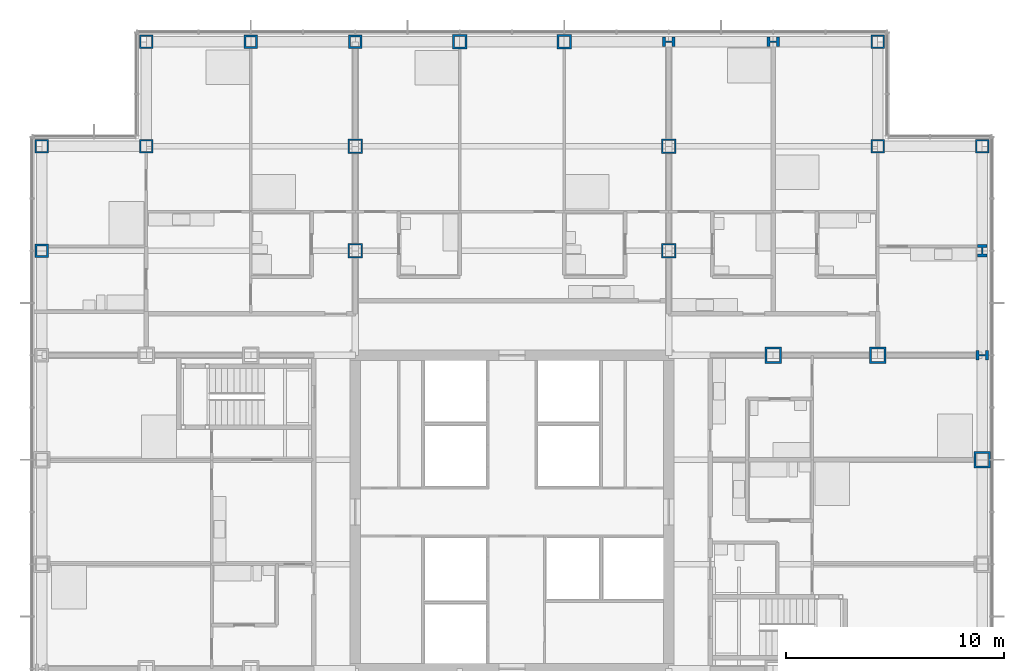
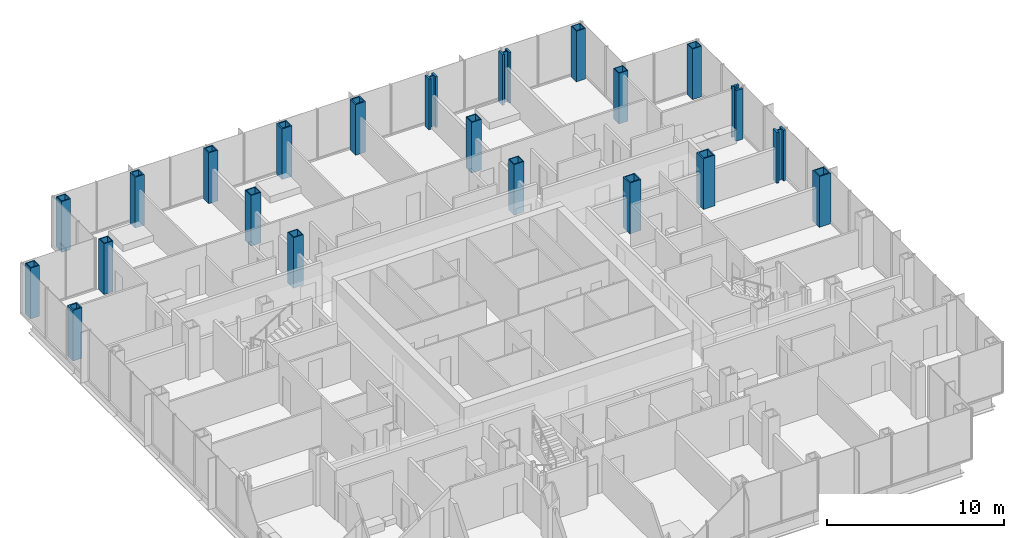
# One storey, part 5 of 21: 22 columns.
"""IFC4 building model written with IfcOpenShell, lengths in metres."""

from ifc_helpers import new_model, si_unit, direction, frame, origin, origin_2d, place, context, subcontext, project, spatial, hollow_rectangle, i_section, extrude, material, material_profile, profile_set, type_object, element, save


model = new_model("IFC4")

# Units and contexts
model_context = context("Model", 3, precision=1e-05, world=origin(), true_north=direction((0.0, 1.0)))
body_context = subcontext(model_context, "Body", "Model", "MODEL_VIEW")
ifc_project = project(units=[si_unit("LENGTHUNIT", "METRE"), si_unit("AREAUNIT", "SQUARE_METRE"), si_unit("VOLUMEUNIT", "CUBIC_METRE"), si_unit("PLANEANGLEUNIT", "RADIAN"), si_unit("MASSUNIT", "GRAM", prefix="KILO")], contexts=[model_context])

# Site, building, storey
site_placement = place(None, origin())
site = spatial("IfcSite", under=ifc_project, at=site_placement, CompositionType="ELEMENT")
building_placement = place(site_placement, origin())
building = spatial("IfcBuilding", under=site, at=building_placement, Name="Kvirike Care Tower", CompositionType="ELEMENT")
storey_placement = place(building_placement, frame((0.0, 0.0, 44.5)))
storey = spatial("IfcBuildingStorey", under=building, at=storey_placement, Name="L11", CompositionType="ELEMENT", Elevation=44.5)

# Columns
ifc_material_1 = material(Name="Steel S460", Category="steel")
ifc_material_profile_1 = material_profile(ifc_material_1, hollow_rectangle(XDim=0.60009765625, YDim=0.60009765625, WallThickness=0.050048828125, at=origin_2d()), Name="BX 600x600x50")
ifc_profile_set_1 = profile_set([ifc_material_profile_1], Name="Steel S460")
column_type_1 = type_object("IfcColumnType", Name="COLUMN BX 600x600x50", PredefinedType="COLUMN", material=ifc_profile_set_1)
for number, where, z_axis, x_axis, name in (
    (1, (38.39990234375, 52.800048828125, 0.0), (0.0, 0.0, 1.0), (0.0, 1.0, 0.0), "Column M11 L11"),
    (2, (38.39990234375, 57.60009765625, 0.0), (0.0, 0.0, 1.0), (0.0, 1.0, 0.0), "Column N11 L11"),
    (3, (43.199951171875, 52.800048828125, 0.0), (0.0, 0.0, 1.0), (0.0, 1.0, 0.0), "Column M12 L11"),
):
    element("IfcColumn", number, at=place(storey_placement, frame(where, z_axis=z_axis, x_axis=x_axis)), inside=storey, type_object=column_type_1, Name=name, PredefinedType="COLUMN", context=body_context, shape_type="SweptSolid", body=[
        extrude(hollow_rectangle(XDim=0.60009765625, YDim=0.60009765625, WallThickness=0.050048828125, at=origin_2d()), origin(), (0.0, 0.0, 1.0), 3.5),
    ])
ifc_material_2 = material(Name="Steel S460", Category="steel")
ifc_material_profile_2 = material_profile(ifc_material_2, hollow_rectangle(XDim=0.60009765625, YDim=0.60009765625, WallThickness=0.06005859375, at=origin_2d()), Name="BX 600x600x60")
ifc_profile_set_2 = profile_set([ifc_material_profile_2], Name="Steel S460")
column_type_2 = type_object("IfcColumnType", Name="COLUMN BX 600x600x60", PredefinedType="COLUMN", material=ifc_profile_set_2)
for number, where, z_axis, x_axis, name in (
    (4, (0.0, 52.800048828125, 0.0), (0.0, 0.0, 1.0), (0.0, 1.0, 0.0), "Column M3 L11"),
    (5, (4.800048828125, 52.800048828125, 0.0), (0.0, 0.0, 1.0), (0.0, 1.0, 0.0), "Column M4 L11"),
    (6, (4.800048828125, 57.60009765625, 0.0), (0.0, 0.0, 1.0), (0.0, 1.0, 0.0), "Column N4 L11"),
):
    element("IfcColumn", number, at=place(storey_placement, frame(where, z_axis=z_axis, x_axis=x_axis)), inside=storey, type_object=column_type_2, Name=name, PredefinedType="COLUMN", context=body_context, shape_type="SweptSolid", body=[
        extrude(hollow_rectangle(XDim=0.60009765625, YDim=0.60009765625, WallThickness=0.06005859375, at=origin_2d()), origin(), (0.0, 0.0, 1.0), 3.5),
    ])
ifc_material_3 = material(Name="Steel S460", Category="steel")
ifc_material_profile_3 = material_profile(ifc_material_3, hollow_rectangle(XDim=0.60009765625, YDim=0.60009765625, WallThickness=0.080078125, at=origin_2d()), Name="BX 600x600x80")
ifc_profile_set_3 = profile_set([ifc_material_profile_3], Name="Steel S460")
column_type_3 = type_object("IfcColumnType", Name="COLUMN BX 600x600x80", PredefinedType="COLUMN", material=ifc_profile_set_3)
for number, where, z_axis, x_axis, name in (
    (7, (0.0, 48.0, 0.0), (0.0, 0.0, 1.0), (1.0, 0.0, 0.0), "Column L3 L11"),
    (8, (9.60009765625, 57.60009765625, 0.0), (0.0, 0.0, 1.0), (0.0, 1.0, 0.0), "Column N5 L11"),
    (9, (14.39990234375, 57.60009765625, 0.0), (0.0, 0.0, 1.0), (0.0, 1.0, 0.0), "Column N6 L11"),
):
    element("IfcColumn", number, at=place(storey_placement, frame(where, z_axis=z_axis, x_axis=x_axis)), inside=storey, type_object=column_type_3, Name=name, PredefinedType="COLUMN", context=body_context, shape_type="SweptSolid", body=[
        extrude(hollow_rectangle(XDim=0.60009765625, YDim=0.60009765625, WallThickness=0.080078125, at=origin_2d()), origin(), (0.0, 0.0, 1.0), 3.5),
    ])
ifc_material_4 = material(Name="Steel S460", Category="steel")
ifc_material_profile_4 = material_profile(ifc_material_4, hollow_rectangle(XDim=0.64990234375, YDim=0.64990234375, WallThickness=0.050048828125, at=origin_2d()), Name="BX 650x650x50")
ifc_profile_set_4 = profile_set([ifc_material_profile_4], Name="Steel S460")
column_type_4 = type_object("IfcColumnType", Name="COLUMN BX 650x650x50", PredefinedType="COLUMN", material=ifc_profile_set_4)
for number, where, z_axis, x_axis, name in (
    (10, (14.39990234375, 48.0, 0.0), (0.0, 0.0, 1.0), (1.0, 0.0, 0.0), "Column L6 L11"),
    (11, (14.39990234375, 52.800048828125, 0.0), (0.0, 0.0, 1.0), (1.0, 0.0, 0.0), "Column M6 L11"),
    (12, (28.800048828125, 48.0, 0.0), (0.0, 0.0, 1.0), (1.0, 0.0, 0.0), "Column L9 L11"),
    (13, (28.800048828125, 52.800048828125, 0.0), (0.0, 0.0, 1.0), (1.0, 0.0, 0.0), "Column M9 L11"),
):
    element("IfcColumn", number, at=place(storey_placement, frame(where, z_axis=z_axis, x_axis=x_axis)), inside=storey, type_object=column_type_4, Name=name, PredefinedType="COLUMN", context=body_context, shape_type="SweptSolid", body=[
        extrude(hollow_rectangle(XDim=0.64990234375, YDim=0.64990234375, WallThickness=0.050048828125, at=origin_2d()), origin(), (0.0, 0.0, 1.0), 3.5),
    ])
ifc_material_5 = material(Name="Steel S460", Category="steel")
ifc_material_profile_5 = material_profile(ifc_material_5, hollow_rectangle(XDim=0.64990234375, YDim=0.64990234375, WallThickness=0.080078125, at=origin_2d()), Name="BX 650x650x80")
ifc_profile_set_5 = profile_set([ifc_material_profile_5], Name="Steel S460")
column_type_5 = type_object("IfcColumnType", Name="COLUMN BX 650x650x80", PredefinedType="COLUMN", material=ifc_profile_set_5)
for number, where, z_axis, x_axis, name in (
    (14, (19.199951171875, 57.60009765625, 0.0), (0.0, 0.0, 1.0), (0.0, 1.0, 0.0), "Column N7 L11"),
    (15, (24.0, 57.60009765625, 0.0), (0.0, 0.0, 1.0), (0.0, 1.0, 0.0), "Column N8 L11"),
):
    element("IfcColumn", number, at=place(storey_placement, frame(where, z_axis=z_axis, x_axis=x_axis)), inside=storey, type_object=column_type_5, Name=name, PredefinedType="COLUMN", context=body_context, shape_type="SweptSolid", body=[
        extrude(hollow_rectangle(XDim=0.64990234375, YDim=0.64990234375, WallThickness=0.080078125, at=origin_2d()), origin(), (0.0, 0.0, 1.0), 3.5),
    ])
ifc_material_6 = material(Name="Steel S460", Category="steel")
ifc_material_profile_6 = material_profile(ifc_material_6, hollow_rectangle(XDim=0.75, YDim=0.75, WallThickness=0.080078125, at=origin_2d()), Name="BX 750x750x80")
ifc_profile_set_6 = profile_set([ifc_material_profile_6], Name="Steel S460")
column_type_6 = type_object("IfcColumnType", Name="COLUMN BX 750x750x80", PredefinedType="COLUMN", material=ifc_profile_set_6)
for number, where, z_axis, x_axis, name in (
    (16, (33.60009765625, 43.199951171875, 0.0), (0.0, 0.0, 1.0), (0.0, 1.0, 0.0), "Column K10 L11"),
    (17, (38.39990234375, 43.199951171875, 0.0), (0.0, 0.0, 1.0), (0.0, 1.0, 0.0), "Column K11 L11"),
    (18, (43.199951171875, 38.39990234375, 0.0), (0.0, 0.0, 1.0), (1.0, 0.0, 0.0), "Column J12 L11"),
):
    element("IfcColumn", number, at=place(storey_placement, frame(where, z_axis=z_axis, x_axis=x_axis)), inside=storey, type_object=column_type_6, Name=name, PredefinedType="COLUMN", context=body_context, shape_type="SweptSolid", body=[
        extrude(hollow_rectangle(XDim=0.75, YDim=0.75, WallThickness=0.080078125, at=origin_2d()), origin(), (0.0, 0.0, 1.0), 3.5),
    ])
ifc_material_7 = material(Name="Steel S460", Category="steel")
ifc_material_profile_7 = material_profile(ifc_material_7, i_section(OverallWidth=0.4541015625, OverallDepth=0.569091796875, WebThickness=0.077880859375, FlangeThickness=0.125, FilletRadius=0.014892578125, at=origin_2d()), Name="HD 400x1086")
ifc_profile_set_7 = profile_set([ifc_material_profile_7], Name="Steel S460")
column_type_7 = type_object("IfcColumnType", Name="COLUMN HD 400x1086", PredefinedType="COLUMN", material=ifc_profile_set_7)
for number, where, z_axis, x_axis, name in (
    (19, (28.800048828125, 57.60009765625, 0.0), (0.0, 0.0, 1.0), (0.0, 1.0, 0.0), "Column N9 L11"),
    (20, (33.60009765625, 57.60009765625, 0.0), (0.0, 0.0, 1.0), (0.0, 1.0, 0.0), "Column N10 L11"),
    (21, (43.199951171875, 43.199951171875, 0.0), (0.0, 0.0, 1.0), (0.0, 1.0, 0.0), "Column K12 L11"),
    (22, (43.199951171875, 48.0, 0.0), (0.0, 0.0, 1.0), (1.0, 0.0, 0.0), "Column L12 L11"),
):
    element("IfcColumn", number, at=place(storey_placement, frame(where, z_axis=z_axis, x_axis=x_axis)), inside=storey, type_object=column_type_7, Name=name, PredefinedType="COLUMN", context=body_context, shape_type="SweptSolid", body=[
        extrude(i_section(OverallWidth=0.4541015625, OverallDepth=0.569091796875, WebThickness=0.077880859375, FlangeThickness=0.125, FilletRadius=0.014892578125, at=origin_2d()), origin(), (0.0, 0.0, 1.0), 3.5),
    ])

save(model, "model.ifc")
